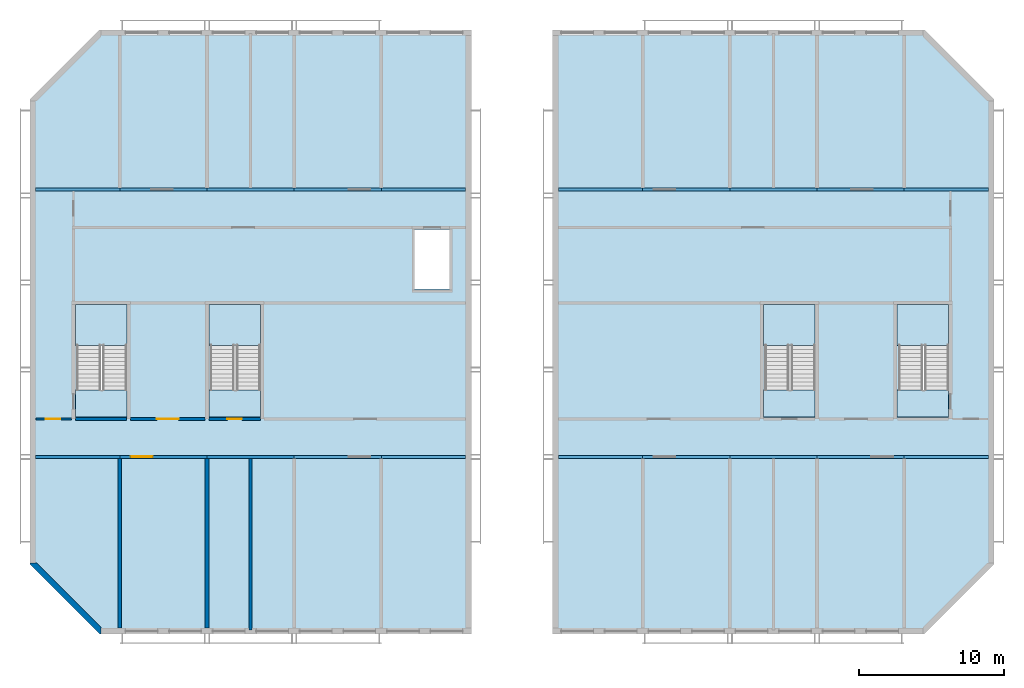
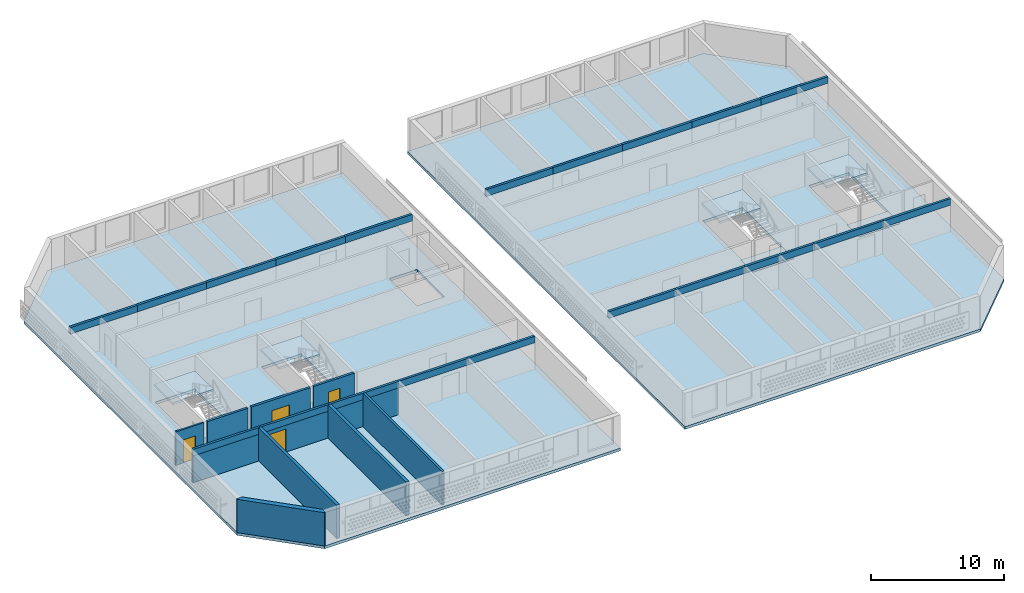
# One storey, part 1 of 18: 20 beams, 11 walls, 10 slabs, 4 doors, 4 openings, 4 elements without a shape of their own.
"""IFC4 building model written with IfcOpenShell, lengths in metres."""

from ifc_helpers import new_model, si_unit, direction, frame, frame_2d, origin, origin_2d, place, context, subcontext, project, spatial, polyline, rectangle, outline, extrude, source, transform, mapped, material, layer, layer_set, material_profile, profile_set, type_object, element, fill, aggregate, save


model = new_model("IFC4")

# Units and contexts
model_context = context("Model", 3, precision=1e-05, world=origin(), true_north=direction((0.0, 1.0)))
body_context = subcontext(model_context, "Body", "Model", "MODEL_VIEW")
ifc_project = project(units=[si_unit("LENGTHUNIT", "METRE"), si_unit("AREAUNIT", "SQUARE_METRE"), si_unit("VOLUMEUNIT", "CUBIC_METRE"), si_unit("PLANEANGLEUNIT", "RADIAN"), si_unit("MASSUNIT", "GRAM", prefix="KILO")], contexts=[model_context])

# Site, building, storey
site_placement = place(None, origin())
site = spatial("IfcSite", under=ifc_project, at=site_placement, CompositionType="ELEMENT")
building_placement = place(site_placement, origin())
building = spatial("IfcBuilding", under=site, at=building_placement, Name="Poui Terraces", CompositionType="ELEMENT")
storey_placement = place(building_placement, frame((0.0, 0.0, 279.0)))
storey = spatial("IfcBuildingStorey", under=building, at=storey_placement, Name="L77 CROWN", CompositionType="ELEMENT", Elevation=279.0)

# Beams
ifc_material_1 = material(Name="Concrete 50 MPa", Category="concrete")
ifc_material_profile = material_profile(ifc_material_1, rectangle(XDim=0.199951171875, YDim=0.60009765625, at=origin_2d()), Name="RC 200x600")
ifc_profile_set = profile_set([ifc_material_profile], Name="Concrete 50 MPa")
beam_type = type_object("IfcBeamType", Name="COUPLING BEAM 200x600 50MPa", PredefinedType="BEAM", material=ifc_profile_set)
shared_shape_1 = source(origin(), body_context, "Body", "SweptSolid", [
    extrude(rectangle(XDim=0.199951171875, YDim=0.60009765625, at=origin_2d()), origin(), (0.0, 0.0, 1.0), 5.800048828125),
])
for number, where, z_axis, x_axis, name in (
    (1, (18.199951171875, 12.0, 2.75), (1.0, 0.0, 0.0), (0.0, 1.0, 0.0), "COUPLING BEAM LINE B BAY W1"),
    (2, (42.0, 12.0, 2.75), (1.0, 0.0, 0.0), (0.0, 1.0, 0.0), "COUPLING BEAM LINE B BAY W5"),
    (3, (18.199951171875, 30.39990234375, 2.75), (1.0, 0.0, 0.0), (0.0, 1.0, 0.0), "COUPLING BEAM LINE E BAY W1"),
    (4, (42.0, 30.39990234375, 2.75), (1.0, 0.0, 0.0), (0.0, 1.0, 0.0), "COUPLING BEAM LINE E BAY W5"),
    (5, (54.199951171875, 12.0, 2.75), (1.0, 0.0, 0.0), (0.0, 1.0, 0.0), "COUPLING BEAM LINE B BAY E1"),
    (6, (78.0, 12.0, 2.75), (1.0, 0.0, 0.0), (0.0, 1.0, 0.0), "COUPLING BEAM LINE B BAY E5"),
    (7, (54.199951171875, 30.39990234375, 2.75), (1.0, 0.0, 0.0), (0.0, 1.0, 0.0), "COUPLING BEAM LINE E BAY E1"),
    (8, (78.0, 30.39990234375, 2.75), (1.0, 0.0, 0.0), (0.0, 1.0, 0.0), "COUPLING BEAM LINE E BAY E5"),
):
    element("IfcBeam", number, at=place(storey_placement, frame(where, z_axis=z_axis, x_axis=x_axis)), inside=storey, type_object=beam_type, Name=name, PredefinedType="BEAM", context=body_context, shape_type="MappedRepresentation", body=[
        mapped(shared_shape_1, transform((0.0, 0.0, 0.0))),
    ])
shared_shape_2 = source(origin(), body_context, "Body", "SweptSolid", [
    extrude(rectangle(XDim=0.199951171875, YDim=0.60009765625, at=origin_2d()), origin(), (0.0, 0.0, 1.0), 6.0),
])
for number, where, z_axis, x_axis, name in (
    (9, (24.0, 12.0, 2.75), (1.0, 0.0, 0.0), (0.0, 1.0, 0.0), "COUPLING BEAM LINE B BAY W2"),
    (10, (30.0, 12.0, 2.75), (1.0, 0.0, 0.0), (0.0, 1.0, 0.0), "COUPLING BEAM LINE B BAY W3"),
    (11, (36.0, 12.0, 2.75), (1.0, 0.0, 0.0), (0.0, 1.0, 0.0), "COUPLING BEAM LINE B BAY W4"),
    (12, (24.0, 30.39990234375, 2.75), (1.0, 0.0, 0.0), (0.0, 1.0, 0.0), "COUPLING BEAM LINE E BAY W2"),
    (13, (30.0, 30.39990234375, 2.75), (1.0, 0.0, 0.0), (0.0, 1.0, 0.0), "COUPLING BEAM LINE E BAY W3"),
    (14, (36.0, 30.39990234375, 2.75), (1.0, 0.0, 0.0), (0.0, 1.0, 0.0), "COUPLING BEAM LINE E BAY W4"),
    (15, (60.0, 12.0, 2.75), (1.0, 0.0, 0.0), (0.0, 1.0, 0.0), "COUPLING BEAM LINE B BAY E2"),
    (16, (66.0, 12.0, 2.75), (1.0, 0.0, 0.0), (0.0, 1.0, 0.0), "COUPLING BEAM LINE B BAY E3"),
    (17, (72.0, 12.0, 2.75), (1.0, 0.0, 0.0), (0.0, 1.0, 0.0), "COUPLING BEAM LINE B BAY E4"),
    (18, (60.0, 30.39990234375, 2.75), (1.0, 0.0, 0.0), (0.0, 1.0, 0.0), "COUPLING BEAM LINE E BAY E2"),
    (19, (66.0, 30.39990234375, 2.75), (1.0, 0.0, 0.0), (0.0, 1.0, 0.0), "COUPLING BEAM LINE E BAY E3"),
    (20, (72.0, 30.39990234375, 2.75), (1.0, 0.0, 0.0), (0.0, 1.0, 0.0), "COUPLING BEAM LINE E BAY E4"),
):
    element("IfcBeam", number, at=place(storey_placement, frame(where, z_axis=z_axis, x_axis=x_axis)), inside=storey, type_object=beam_type, Name=name, PredefinedType="BEAM", context=body_context, shape_type="MappedRepresentation", body=[
        mapped(shared_shape_2, transform((0.0, 0.0, 0.0))),
    ])

# Stair, slabs
stair_type = type_object("IfcStairType", Name="EXIT STAIR 1650 50 MPA", PredefinedType="HALF_TURN_STAIR", material=ifc_material_1)
stair_1_placement = place(storey_placement, origin())
stair_1 = element("IfcStair", 21, at=stair_1_placement, inside=storey, type_object=stair_type, Name="L77 CROWN CORE STAIR EAST", PredefinedType="HALF_TURN_STAIR")
ifc_layer_1 = layer(ifc_material_1, 0.199951171875)
ifc_layer_set_1 = layer_set([ifc_layer_1], Name="Concrete 50 MPa")
slab_type_1 = type_object("IfcSlabType", Name="STAIR LANDING 200 50 MPA", PredefinedType="LANDING", material=ifc_layer_set_1)
slab_1_placement = place(storey_placement, frame((0.0, 0.0, 1.449951171875)))
slab_1 = element("IfcSlab", 22, at=slab_1_placement, type_object=slab_type_1, Name="ST-CE landing 1", PredefinedType="LANDING", context=body_context, shape_type="SweptSolid", body=[
    extrude(outline(polyline([(68.324951171875, 19.679931640625), (71.875, 19.679931640625), (71.875, 22.47509765625), (68.324951171875, 22.47509765625), (68.324951171875, 19.679931640625)])), origin(), (0.0, 0.0, 1.0), 0.199951171875),
])
slab_2_placement = place(storey_placement, frame((0.0, 0.0, -0.2001953125)))
slab_2 = element("IfcSlab", 23, at=slab_2_placement, type_object=slab_type_1, Name="ST-CE landing 2", PredefinedType="LANDING", context=body_context, shape_type="SweptSolid", body=[
    extrude(outline(polyline([(68.324951171875, 14.75), (71.875, 14.75), (71.875, 16.60009765625), (68.324951171875, 16.60009765625), (68.324951171875, 14.75)])), origin(), (0.0, 0.0, 1.0), 0.2001953125),
])
aggregate(stair_1, [slab_1, slab_2])

stair_2_placement = place(storey_placement, origin())
stair_2 = element("IfcStair", 24, at=stair_2_placement, inside=storey, type_object=stair_type, Name="L77 CROWN CORE STAIR WEST", PredefinedType="HALF_TURN_STAIR")
slab_3_placement = place(storey_placement, frame((0.0, 0.0, 1.449951171875)))
slab_3 = element("IfcSlab", 25, at=slab_3_placement, type_object=slab_type_1, Name="ST-CW landing 1", PredefinedType="LANDING", context=body_context, shape_type="SweptSolid", body=[
    extrude(outline(polyline([(30.125, 19.679931640625), (33.675048828125, 19.679931640625), (33.675048828125, 22.47509765625), (30.125, 22.47509765625), (30.125, 19.679931640625)])), origin(), (0.0, 0.0, 1.0), 0.199951171875),
])
slab_4_placement = place(storey_placement, frame((0.0, 0.0, -0.2001953125)))
slab_4 = element("IfcSlab", 26, at=slab_4_placement, type_object=slab_type_1, Name="ST-CW landing 2", PredefinedType="LANDING", context=body_context, shape_type="SweptSolid", body=[
    extrude(outline(polyline([(30.125, 14.75), (33.675048828125, 14.75), (33.675048828125, 16.60009765625), (30.125, 16.60009765625), (30.125, 14.75)])), origin(), (0.0, 0.0, 1.0), 0.2001953125),
])
aggregate(stair_2, [slab_3, slab_4])

stair_3_placement = place(storey_placement, origin())
stair_3 = element("IfcStair", 27, at=stair_3_placement, inside=storey, type_object=stair_type, Name="L77 CROWN TIP STAIR EAST", PredefinedType="HALF_TURN_STAIR")
slab_5_placement = place(storey_placement, frame((0.0, 0.0, 1.449951171875)))
slab_5 = element("IfcSlab", 28, at=slab_5_placement, type_object=slab_type_1, Name="ST-E landing 1", PredefinedType="LANDING", context=body_context, shape_type="SweptSolid", body=[
    extrude(outline(polyline([(77.52490234375, 19.679931640625), (81.074951171875, 19.679931640625), (81.074951171875, 22.47509765625), (77.52490234375, 22.47509765625), (77.52490234375, 19.679931640625)])), origin(), (0.0, 0.0, 1.0), 0.199951171875),
])
slab_6_placement = place(storey_placement, frame((0.0, 0.0, -0.2001953125)))
slab_6 = element("IfcSlab", 29, at=slab_6_placement, type_object=slab_type_1, Name="ST-E landing 2", PredefinedType="LANDING", context=body_context, shape_type="SweptSolid", body=[
    extrude(outline(polyline([(77.52490234375, 14.75), (81.074951171875, 14.75), (81.074951171875, 16.60009765625), (77.52490234375, 16.60009765625), (77.52490234375, 14.75)])), origin(), (0.0, 0.0, 1.0), 0.2001953125),
])
aggregate(stair_3, [slab_5, slab_6])

stair_4_placement = place(storey_placement, origin())
stair_4 = element("IfcStair", 30, at=stair_4_placement, inside=storey, type_object=stair_type, Name="L77 CROWN TIP STAIR WEST", PredefinedType="HALF_TURN_STAIR")
slab_7_placement = place(storey_placement, frame((0.0, 0.0, 1.449951171875)))
slab_7 = element("IfcSlab", 31, at=slab_7_placement, type_object=slab_type_1, Name="ST-W landing 1", PredefinedType="LANDING", context=body_context, shape_type="SweptSolid", body=[
    extrude(outline(polyline([(20.925048828125, 19.679931640625), (24.47509765625, 19.679931640625), (24.47509765625, 22.47509765625), (20.925048828125, 22.47509765625), (20.925048828125, 19.679931640625)])), origin(), (0.0, 0.0, 1.0), 0.199951171875),
])
slab_8_placement = place(storey_placement, frame((0.0, 0.0, -0.2001953125)))
slab_8 = element("IfcSlab", 32, at=slab_8_placement, type_object=slab_type_1, Name="ST-W landing 2", PredefinedType="LANDING", context=body_context, shape_type="SweptSolid", body=[
    extrude(outline(polyline([(20.925048828125, 14.75), (24.47509765625, 14.75), (24.47509765625, 16.60009765625), (20.925048828125, 16.60009765625), (20.925048828125, 14.75)])), origin(), (0.0, 0.0, 1.0), 0.2001953125),
])
aggregate(stair_4, [slab_7, slab_8])

# Slabs
ifc_material_2 = material(Name="Concrete 40 MPa", Category="concrete")
ifc_layer_2 = layer(ifc_material_2, 0.25)
ifc_layer_set_2 = layer_set([ifc_layer_2], Name="Concrete 40 MPa")
slab_type_2 = type_object("IfcSlabType", Name="FLOOR SLAB 250", PredefinedType="FLOOR", material=ifc_layer_set_2)
shared_shape_3 = source(origin(), body_context, "Body", "SweptSolid", [
    extrude(outline(polyline([(0.0, 0.0), (4.800048828125, -4.800048828125), (30.39990234375, -4.800048828125), (30.39990234375, 36.7998046875), (4.800048828125, 36.7998046875), (0.0, 32.0), (0.0, 0.0)]), holes=[polyline([(3.125, 12.0), (3.224853515625, 12.0), (3.224853515625, 17.849853515625), (6.675048828125, 17.849853515625), (6.675048828125, 12.0), (6.675048828125, 10.14990234375), (3.125, 10.14990234375), (3.125, 12.0)]), polyline([(12.324951171875, 12.0), (12.425048828125, 12.0), (12.425048828125, 17.849853515625), (15.875, 17.849853515625), (15.875, 12.0), (15.875, 10.14990234375), (12.324951171875, 10.14990234375), (12.324951171875, 12.0)]), polyline([(28.89990234375, 18.949951171875), (26.5, 18.949951171875), (26.5, 23.0498046875), (28.89990234375, 23.0498046875), (28.89990234375, 18.949951171875)])]), origin(), (0.0, 0.0, 1.0), 0.25),
])
slab_9_placement = place(storey_placement, frame((17.800048828125, 4.60009765625, -0.25)))
element("IfcSlab", 33, at=slab_9_placement, inside=storey, type_object=slab_type_2, Name="FLOOR SLAB", PredefinedType="FLOOR", context=body_context, shape_type="MappedRepresentation", body=[
    mapped(shared_shape_3, transform((0.0, 0.0, 0.0))),
])
shared_shape_4 = source(origin(), body_context, "Body", "SweptSolid", [
    extrude(outline(polyline([(0.0, 0.0), (0.0, -41.599853515625), (25.599853515625, -41.599853515625), (30.39990234375, -36.7998046875), (30.39990234375, -4.7998046875), (25.599853515625, 0.0), (0.0, 0.0)]), holes=[polyline([(14.52490234375, -24.7998046875), (14.625, -24.7998046875), (14.625, -18.949951171875), (18.074951171875, -18.949951171875), (18.074951171875, -24.7998046875), (18.074951171875, -26.64990234375), (14.52490234375, -26.64990234375), (14.52490234375, -24.7998046875)]), polyline([(23.824951171875, -24.7998046875), (23.824951171875, -18.949951171875), (27.27490234375, -18.949951171875), (27.27490234375, -24.7998046875), (27.27490234375, -26.64990234375), (23.724853515625, -26.64990234375), (23.724853515625, -24.7998046875), (23.824951171875, -24.7998046875)])]), origin(), (0.0, 0.0, 1.0), 0.25),
])
slab_10_placement = place(storey_placement, frame((53.800048828125, 41.39990234375, -0.25)))
element("IfcSlab", 34, at=slab_10_placement, inside=storey, type_object=slab_type_2, Name="FLOOR SLAB", PredefinedType="FLOOR", context=body_context, shape_type="MappedRepresentation", body=[
    mapped(shared_shape_4, transform((0.0, 0.0, 0.0))),
])

# Wall, opening, door
ifc_material_3 = material(Name="Fire-rated plasterboard wall")
ifc_layer_3 = layer(ifc_material_3, 0.14990234375)
ifc_layer_set_3 = layer_set([ifc_layer_3], Name="Fire-rated plasterboard wall")
wall_type_1 = type_object("IfcWallType", Name="CORRIDOR WALL 150", PredefinedType="PARTITIONING", material=ifc_layer_set_3)
wall_1_placement = place(storey_placement, frame((18.2099609375, 14.60009765625, 0.0), z_axis=(0.0, 0.0, 1.0), x_axis=(1.0, 0.0, 0.0)))
wall_1 = element("IfcWall", 35, at=wall_1_placement, inside=storey, type_object=wall_type_1, Name="CORRIDOR WALL 150", PredefinedType="PARTITIONING", context=body_context, shape_type="SweptSolid", body=[
    extrude(rectangle(XDim=2.455078125, YDim=0.14990234375, at=frame_2d((1.2275390625, 0.0))), origin(), (0.0, 0.0, 1.0), 3.050048828125),
])
opening_1_placement = place(wall_1_placement, frame((0.68994140625, 0.0, 0.0)))
opening_1 = element("IfcOpeningElement", 36, at=opening_1_placement, cuts=wall_1, Name="Opening FDL", PredefinedType="OPENING", context=body_context, shape_type="SweptSolid", body=[
    extrude(rectangle(XDim=1.0, YDim=2.10009765625, at=frame_2d((0.5, 1.050048828125))), frame((0.0, 0.0849609375, 0.0), z_axis=(0.0, -1.0, 0.0), x_axis=(1.0, 0.0, 0.0)), (0.0, 0.0, 1.0), 0.169921875),
])
ifc_material_4 = material(Name="Steel fire door", Category="steel")
door_type_1 = type_object("IfcDoorType", Name="LOBBY FIRE DOOR 1000 X 2100", OperationType="NOTDEFINED", PredefinedType="DOOR", material=ifc_material_4)
door_1_placement = place(opening_1_placement, origin())
door_1 = element("IfcDoor", 37, at=door_1_placement, inside=storey, type_object=door_type_1, Name="LOBBY FIRE DOOR 020", OperationType="SINGLE_SWING_RIGHT", OverallHeight=2.10009765625, OverallWidth=1.0, PredefinedType="DOOR", context=body_context, shape_type="SweptSolid", body=[
    extrude(rectangle(XDim=1.0, YDim=2.10009765625, at=frame_2d((0.5, 1.050048828125))), frame((0.0, 0.02490234375, 0.0), z_axis=(0.0, -1.0, 0.0), x_axis=(1.0, 0.0, 0.0)), (0.0, 0.0, 1.0), 0.050048828125),
])
fill(opening_1, door_1)

# Wall
ifc_layer_4 = layer(ifc_material_1, 0.199951171875)
ifc_layer_set_4 = layer_set([ifc_layer_4], Name="Concrete 50 MPa")
wall_type_2 = type_object("IfcWallType", Name="CORRIDOR WALL 200 50MPa", PredefinedType="SHEAR", material=ifc_layer_set_4)
wall_2_placement = place(storey_placement, frame((18.199951171875, 12.0, 0.0), z_axis=(0.0, 0.0, 1.0), x_axis=(1.0, 0.0, 0.0)))
element("IfcWall", 38, at=wall_2_placement, inside=storey, type_object=wall_type_2, Name="CORRIDOR WALL LINE B BAY W1", PredefinedType="SHEAR", context=body_context, shape_type="SweptSolid", body=[
    extrude(rectangle(XDim=5.800048828125, YDim=0.199951171875, at=frame_2d((2.89990234375, 0.0))), origin(), (0.0, 0.0, 1.0), 2.449951171875),
])

# Wall, opening, door
wall_3_placement = place(storey_placement, frame((24.0, 12.0, 0.0), z_axis=(0.0, 0.0, 1.0), x_axis=(1.0, 0.0, 0.0)))
wall_3 = element("IfcWall", 39, at=wall_3_placement, inside=storey, type_object=wall_type_2, Name="CORRIDOR WALL LINE B BAY W2", PredefinedType="SHEAR", context=body_context, shape_type="SweptSolid", body=[
    extrude(rectangle(XDim=6.0, YDim=0.199951171875, at=frame_2d((3.0, 0.0))), origin(), (0.0, 0.0, 1.0), 2.449951171875),
])
opening_2_placement = place(wall_3_placement, frame((0.75, 0.0, 0.0)))
opening_2 = element("IfcOpeningElement", 40, at=opening_2_placement, cuts=wall_3, Name="Opening FDP", PredefinedType="OPENING", context=body_context, shape_type="SweptSolid", body=[
    extrude(rectangle(XDim=1.5, YDim=2.10009765625, at=frame_2d((0.75, 1.050048828125))), frame((0.0, 0.10986328125, 0.0), z_axis=(0.0, -1.0, 0.0), x_axis=(1.0, 0.0, 0.0)), (0.0, 0.0, 1.0), 0.219970703125),
])
door_type_2 = type_object("IfcDoorType", Name="PLANT ROOM DOOR PAIR 1500 X 2100", OperationType="DOUBLE_DOOR_SINGLE_SWING", PredefinedType="DOOR", material=ifc_material_4)
door_2_placement = place(opening_2_placement, origin())
door_2 = element("IfcDoor", 41, at=door_2_placement, inside=storey, type_object=door_type_2, Name="PLANT ROOM DOOR PAIR 016", OperationType="DOUBLE_DOOR_SINGLE_SWING", OverallHeight=2.10009765625, OverallWidth=1.5, PredefinedType="DOOR", context=body_context, shape_type="SweptSolid", body=[
    extrude(rectangle(XDim=1.5, YDim=2.10009765625, at=frame_2d((0.75, 1.050048828125))), frame((0.0, 0.02490234375, 0.0), z_axis=(0.0, -1.0, 0.0), x_axis=(1.0, 0.0, 0.0)), (0.0, 0.0, 1.0), 0.050048828125),
])
fill(opening_2, door_2)

# Walls
wall_4_placement = place(storey_placement, frame((30.0, 12.0, 0.0), z_axis=(0.0, 0.0, 1.0), x_axis=(1.0, 0.0, 0.0)))
element("IfcWall", 42, at=wall_4_placement, inside=storey, type_object=wall_type_2, Name="CORRIDOR WALL LINE B BAY W3", PredefinedType="SHEAR", context=body_context, shape_type="SweptSolid", body=[
    extrude(rectangle(XDim=6.0, YDim=0.199951171875, at=frame_2d((3.0, 0.0))), origin(), (0.0, 0.0, 1.0), 2.449951171875),
])
ifc_layer_5 = layer(ifc_material_1, 0.25)
ifc_layer_set_5 = layer_set([ifc_layer_5], Name="Concrete 50 MPa")
wall_type_3 = type_object("IfcWallType", Name="CROSS WALL 250 50MPa", PredefinedType="SHEAR", material=ifc_layer_set_5)
for number, where, z_axis, x_axis, name in (
    (43, (24.0, 0.199951171875, 0.0), (0.0, 0.0, 1.0), (0.0, 1.0, 0.0), "CROSS WALL LINE 5 SOUTH"),
    (44, (30.0, 0.199951171875, 0.0), (0.0, 0.0, 1.0), (0.0, 1.0, 0.0), "CROSS WALL LINE 6 SOUTH"),
):
    element("IfcWall", number, at=place(storey_placement, frame(where, z_axis=z_axis, x_axis=x_axis)), inside=storey, type_object=wall_type_3, Name=name, PredefinedType="SHEAR", context=body_context, shape_type="SweptSolid", body=[
        extrude(rectangle(XDim=11.699951171875, YDim=0.25, at=frame_2d((5.85009765625, 0.0))), origin(), (0.0, 0.0, 1.0), 3.050048828125),
    ])

# Wall, opening, door
ifc_material_5 = material(Name="Fire-rated masonry wall", Category="masonry")
ifc_layer_6 = layer(ifc_material_5, 0.199951171875)
ifc_layer_set_6 = layer_set([ifc_layer_6], Name="Fire-rated masonry wall")
wall_type_4 = type_object("IfcWallType", Name="PLANT ROOM WALL 200", PredefinedType="PARTITIONING", material=ifc_layer_set_6)
wall_5_placement = place(storey_placement, frame((24.735107421875, 14.60009765625, 0.0), z_axis=(0.0, 0.0, 1.0), x_axis=(1.0, 0.0, 0.0)))
wall_5 = element("IfcWall", 45, at=wall_5_placement, inside=storey, type_object=wall_type_4, Name="PLANT ROOM WALL 200", PredefinedType="PARTITIONING", context=body_context, shape_type="SweptSolid", body=[
    extrude(rectangle(XDim=5.1298828125, YDim=0.199951171875, at=frame_2d((2.56494140625, 0.0))), origin(), (0.0, 0.0, 1.0), 3.050048828125),
])
opening_3_placement = place(wall_5_placement, frame((1.81494140625, 0.0, 0.0)))
opening_3 = element("IfcOpeningElement", 46, at=opening_3_placement, cuts=wall_5, Name="Opening FDP", PredefinedType="OPENING", context=body_context, shape_type="SweptSolid", body=[
    extrude(rectangle(XDim=1.5, YDim=2.10009765625, at=frame_2d((0.75, 1.050048828125))), frame((0.0, 0.10986328125, 0.0), z_axis=(0.0, -1.0, 0.0), x_axis=(1.0, 0.0, 0.0)), (0.0, 0.0, 1.0), 0.219970703125),
])
door_3_placement = place(opening_3_placement, frame((1.5, 0.0, 0.0), z_axis=(0.0, 0.0, 1.0), x_axis=(-1.0, 0.0, 0.0)))
door_3 = element("IfcDoor", 47, at=door_3_placement, inside=storey, type_object=door_type_2, Name="PLANT ROOM DOOR PAIR 017", OperationType="DOUBLE_DOOR_SINGLE_SWING", OverallHeight=2.10009765625, OverallWidth=1.5, PredefinedType="DOOR", context=body_context, shape_type="SweptSolid", body=[
    extrude(rectangle(XDim=1.5, YDim=2.10009765625, at=frame_2d((0.75, 1.050048828125))), frame((0.0, 0.02490234375, 0.0), z_axis=(0.0, -1.0, 0.0), x_axis=(1.0, 0.0, 0.0)), (0.0, 0.0, 1.0), 0.050048828125),
])
fill(opening_3, door_3)

# Walls
wall_6_placement = place(storey_placement, frame((33.0, 0.06005859375, 0.0), z_axis=(0.0, 0.0, 1.0), x_axis=(0.0, 1.0, 0.0)))
element("IfcWall", 48, at=wall_6_placement, inside=storey, type_object=wall_type_4, Name="PLANT ROOM WALL 200", PredefinedType="PARTITIONING", context=body_context, shape_type="SweptSolid", body=[
    extrude(rectangle(XDim=11.829833984375, YDim=0.199951171875, at=frame_2d((5.9150390625, 0.0))), origin(), (0.0, 0.0, 1.0), 3.050048828125),
])
ifc_layer_7 = layer(ifc_material_5, 0.199951171875)
ifc_layer_set_7 = layer_set([ifc_layer_7], Name="Fire-rated masonry wall")
wall_type_5 = type_object("IfcWallType", Name="STAIR WALL 200", PredefinedType="PARTITIONING", material=ifc_layer_set_7)
wall_7_placement = place(storey_placement, frame((20.93505859375, 14.60009765625, 0.0), z_axis=(0.0, 0.0, 1.0), x_axis=(1.0, 0.0, 0.0)))
element("IfcWall", 49, at=wall_7_placement, inside=storey, type_object=wall_type_5, Name="STAIR WALL 200", PredefinedType="PARTITIONING", context=body_context, shape_type="SweptSolid", body=[
    extrude(rectangle(XDim=3.530029296875, YDim=0.199951171875, at=frame_2d((1.76513671875, 0.0))), origin(), (0.0, 0.0, 1.0), 3.050048828125),
])

# Wall, opening, door
wall_8_placement = place(storey_placement, frame((30.135009765625, 14.60009765625, 0.0), z_axis=(0.0, 0.0, 1.0), x_axis=(1.0, 0.0, 0.0)))
wall_8 = element("IfcWall", 50, at=wall_8_placement, inside=storey, type_object=wall_type_5, Name="STAIR WALL 200", PredefinedType="PARTITIONING", context=body_context, shape_type="SweptSolid", body=[
    extrude(rectangle(XDim=3.530029296875, YDim=0.199951171875, at=frame_2d((1.76513671875, 0.0))), origin(), (0.0, 0.0, 1.0), 3.050048828125),
])
opening_4_placement = place(wall_8_placement, frame((1.264892578125, 0.0, 0.0)))
opening_4 = element("IfcOpeningElement", 51, at=opening_4_placement, cuts=wall_8, Name="Opening FD60S", PredefinedType="OPENING", context=body_context, shape_type="SweptSolid", body=[
    extrude(rectangle(XDim=1.0, YDim=2.10009765625, at=frame_2d((0.5, 1.050048828125))), frame((0.0, 0.10986328125, 0.0), z_axis=(0.0, -1.0, 0.0), x_axis=(1.0, 0.0, 0.0)), (0.0, 0.0, 1.0), 0.219970703125),
])
door_type_3 = type_object("IfcDoorType", Name="STAIR DOOR 1000 X 2100", OperationType="NOTDEFINED", PredefinedType="DOOR", material=ifc_material_4)
door_4_placement = place(opening_4_placement, frame((1.0, 0.0, 0.0), z_axis=(0.0, 0.0, 1.0), x_axis=(-1.0, 0.0, 0.0)))
door_4 = element("IfcDoor", 52, at=door_4_placement, inside=storey, type_object=door_type_3, Name="STAIR DOOR 023", OperationType="SINGLE_SWING_RIGHT", OverallHeight=2.10009765625, OverallWidth=1.0, PredefinedType="DOOR", context=body_context, shape_type="SweptSolid", body=[
    extrude(rectangle(XDim=1.0, YDim=2.10009765625, at=frame_2d((0.5, 1.050048828125))), frame((0.0, 0.02490234375, 0.0), z_axis=(0.0, -1.0, 0.0), x_axis=(1.0, 0.0, 0.0)), (0.0, 0.0, 1.0), 0.050048828125),
])
fill(opening_4, door_4)

# Wall
ifc_material_6 = material(Name="Precast concrete 40 MPa", Category="concrete")
ifc_layer_8 = layer(ifc_material_6, 0.39990234375)
ifc_layer_set_8 = layer_set([ifc_layer_8], Name="Precast concrete 40 MPa")
wall_type_6 = type_object("IfcWallType", Name="TERRACOTTA CLAD CHAMFER WALL 400", PredefinedType="STANDARD", material=ifc_layer_set_8)
wall_9_placement = place(storey_placement, origin())
element("IfcWall", 53, at=wall_9_placement, inside=storey, type_object=wall_type_6, Name="CHAMFER WALL CH05", PredefinedType="STANDARD", context=body_context, shape_type="SweptSolid", body=[
    extrude(outline(polyline([(17.800048828125, 4.682861328125), (17.800048828125, 4.60009765625), (22.60009765625, -0.199951171875), (22.682861328125, -0.199951171875), (22.682861328125, 0.28271484375), (18.28271484375, 4.682861328125), (17.800048828125, 4.682861328125)])), origin(), (0.0, 0.0, 1.0), 3.050048828125),
])

save(model, "model.ifc")
